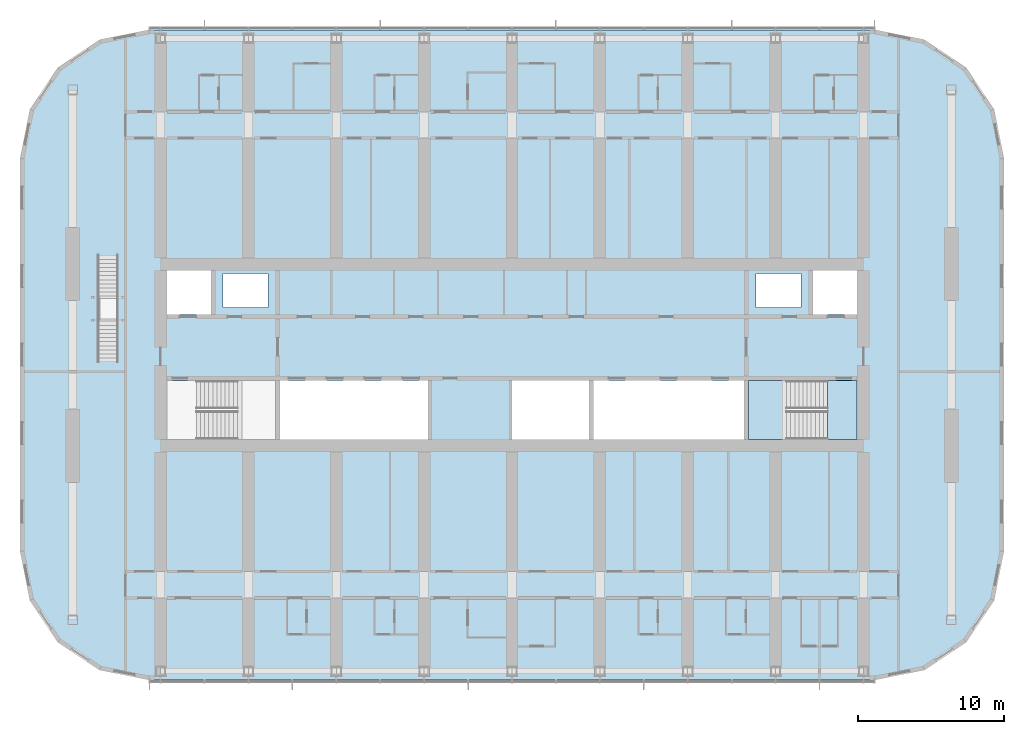
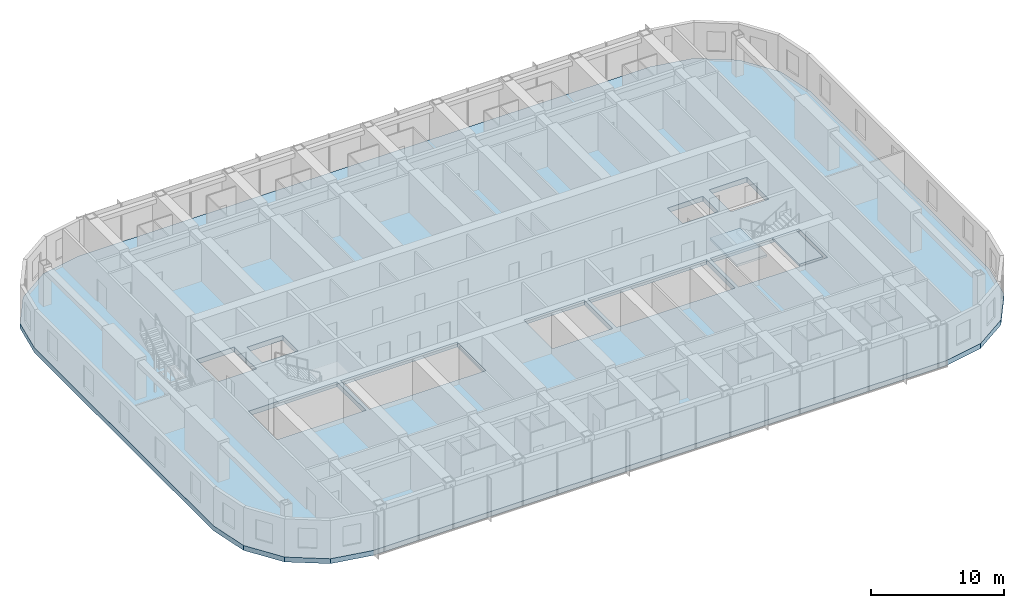
# One storey, part 10 of 27: 3 slabs, 1 element without a shape of its own.
"""IFC4 building model written with IfcOpenShell, lengths in metres."""

import ifcopenshell
import ifcopenshell.guid

model = None  # the IFC model being written
_history = None  # IfcOwnerHistory: only IFC2X3 demands one
_inside = {}  # id of a spatial element -> (the spatial element, [elements in it])
_under = {}  # id of a project, library or spatial element -> (it, [spatial elements below it])
_declared = {}  # id of a project -> (the project, [libraries it declares])
_typed = {}  # id of a type object -> (the type object, [elements of that type])
_made_of = {}  # id of a material, layer set ... -> (it, [elements and type objects made of it])


def new_model(schema):
    """Start an empty IFC model of exactly this schema.

    Asked for "IFC4X3", IfcOpenShell would pick the latest addendum, in which some entities
    have other attributes; the version numbers below select the first issue.
    IFC2X3 requires an IfcOwnerHistory on every rooted entity: one is made here for all.
    """
    global model, _history
    if schema == "IFC4X3":
        model = ifcopenshell.file(schema_version=(4, 3, 0, 0))
    else:
        model = ifcopenshell.file(schema=schema)
    _inside.clear()
    _under.clear()
    _declared.clear()
    _typed.clear()
    _made_of.clear()
    _history = None
    if model.schema == "IFC2X3":
        org = make("IfcOrganization", Name="unknown")
        user = make(
            "IfcPersonAndOrganization",
            ThePerson=make("IfcPerson", FamilyName="unknown"),
            TheOrganization=org,
        )
        app = make(
            "IfcApplication",
            ApplicationDeveloper=org,
            Version="unknown",
            ApplicationFullName="unknown",
            ApplicationIdentifier="unknown",
        )
        _history = make(
            "IfcOwnerHistory",
            OwningUser=user,
            OwningApplication=app,
            ChangeAction="ADDED",
            CreationDate=0,
        )
    return model


def make(cls, **values):
    """One entity of the class cls with the attributes given. An attribute that is None is left unset."""
    return model.create_entity(
        cls, **{name: value for name, value in values.items() if value is not None}
    )


def rooted(cls, **values):
    """An entity with a GlobalId (a new one), such as an element, a storey or a relation."""
    return make(cls, GlobalId=ifcopenshell.guid.new(), OwnerHistory=_history, **values)


def si_unit(unit_type, name, prefix=None):
    """IfcSIUnit, for example si_unit("LENGTHUNIT", "METRE", prefix="MILLI")."""
    return make("IfcSIUnit", UnitType=unit_type, Prefix=prefix, Name=name)


def assignment(units):
    """IfcUnitAssignment: the units of a project."""
    return None if units is None else make("IfcUnitAssignment", Units=units)


def point(xyz):
    """IfcCartesianPoint."""
    return None if xyz is None else make("IfcCartesianPoint", Coordinates=xyz)


def direction(xyz):
    """IfcDirection."""
    return None if xyz is None else make("IfcDirection", DirectionRatios=xyz)


def frame(location, z_axis=None, x_axis=None):
    """IfcAxis2Placement3D, a coordinate frame: its origin and axes. An axis left out is left unset."""
    return make(
        "IfcAxis2Placement3D",
        Location=point(location),
        Axis=direction(z_axis),
        RefDirection=direction(x_axis),
    )


def origin():
    """The frame at (0, 0, 0) with its axes left unset."""
    return frame((0.0, 0.0, 0.0))


def place(relative_to, where):
    """IfcLocalPlacement: puts the frame where relative to a parent placement (None: the world)."""
    return make(
        "IfcLocalPlacement", PlacementRelTo=relative_to, RelativePlacement=where
    )


def context(
    kind, dimensions, precision=None, world=None, true_north=None, identifier=None
):
    """IfcGeometricRepresentationContext, for example the 3D "Model" context."""
    return make(
        "IfcGeometricRepresentationContext",
        ContextIdentifier=identifier,
        ContextType=kind,
        CoordinateSpaceDimension=dimensions,
        Precision=precision,
        WorldCoordinateSystem=world,
        TrueNorth=true_north,
    )


def subcontext(parent, identifier, kind, view, scale=None):
    """IfcGeometricRepresentationSubContext, for example "Body" below "Model"."""
    return make(
        "IfcGeometricRepresentationSubContext",
        ContextIdentifier=identifier,
        ContextType=kind,
        ParentContext=parent,
        TargetScale=scale,
        TargetView=view,
    )


def project(units=None, contexts=None):
    """IfcProject with its units and contexts."""
    return rooted(
        "IfcProject",
        Name="project",
        RepresentationContexts=contexts,
        UnitsInContext=assignment(units),
    )


def spatial(cls, under=None, at=None, **own):
    """A site, building, storey or space (cls), placed at a placement, below another one or the project."""
    s = rooted(cls, ObjectPlacement=at, **own)
    if under is not None:
        _under.setdefault(under.id(), (under, []))[1].append(s)
    return s


def polyline(points):
    """IfcPolyline through the points."""
    return make("IfcPolyline", Points=[point(p) for p in points])


def outline(outer, holes=None, kind="AREA"):
    """IfcArbitraryClosedProfileDef: a profile drawn as a closed curve; with holes, ...WithVoids."""
    if holes is None:
        return make("IfcArbitraryClosedProfileDef", ProfileType=kind, OuterCurve=outer)
    return make(
        "IfcArbitraryProfileDefWithVoids",
        ProfileType=kind,
        OuterCurve=outer,
        InnerCurves=holes,
    )


def extrude(swept, where, along, depth):
    """IfcExtrudedAreaSolid: the profile swept, set in the frame where, extruded along a direction by depth."""
    return make(
        "IfcExtrudedAreaSolid",
        SweptArea=swept,
        Position=where,
        ExtrudedDirection=direction(along),
        Depth=depth,
    )


def shape(context_of_items, identifier, shape_type, items):
    """IfcShapeRepresentation: the items that make up one representation, for example the "Body"."""
    return make(
        "IfcShapeRepresentation",
        ContextOfItems=context_of_items,
        RepresentationIdentifier=identifier,
        RepresentationType=shape_type,
        Items=items,
    )


def material(Name=None, Category=None):
    """IfcMaterial."""
    return make("IfcMaterial", Name=Name, Category=Category)


def layer(
    of_material, thickness, ventilated=None, Name=None, Category=None, Priority=None
):
    """IfcMaterialLayer: one layer of a wall or slab, of a material (None: an air gap)."""
    return make(
        "IfcMaterialLayer",
        Material=of_material,
        LayerThickness=thickness,
        IsVentilated=ventilated,
        Name=Name,
        Category=Category,
        Priority=Priority,
    )


def layer_set(layers, Name=None):
    """IfcMaterialLayerSet."""
    return make("IfcMaterialLayerSet", MaterialLayers=layers, LayerSetName=Name)


def made_of(thing, what):
    """Note that an element or type object is made of a material, layer set ...; save() writes the relation."""
    if what is not None:
        _made_of.setdefault(what.id(), (what, []))[1].append(thing)
    return thing


def type_object(cls, material=None, **own):
    """A type object (cls), such as IfcWallType, which elements share."""
    return made_of(rooted(cls, **own), material)


def element(
    cls,
    number,
    at=None,
    inside=None,
    cuts=None,
    type_object=None,
    material=None,
    context=None,
    identifier="Body",
    shape_type=None,
    held_by="IfcProductDefinitionShape",
    body=None,
    shapes=None,
    **own,
):
    """One element of the class cls, such as IfcWall. Its Tag is "e" and its number.

    at: its placement. inside: the storey or other place that contains it. cuts: it is an
    opening in that element (IfcRelVoidsElement). A single representation is given by context,
    identifier, shape_type and body (its items); several are given by shapes. held_by: the class
    of the entity that holds the representations. save() writes the other relations.
    """
    e = rooted(cls, Tag="e%d" % number, ObjectPlacement=at, **own)
    if body is not None:
        shapes = [shape(context, identifier, shape_type, body)]
    if shapes is not None:
        e.Representation = make(held_by, Representations=shapes)
    if inside is not None:
        _inside.setdefault(inside.id(), (inside, []))[1].append(e)
    if cuts is not None:
        rooted(
            "IfcRelVoidsElement", RelatingBuildingElement=cuts, RelatedOpeningElement=e
        )
    if type_object is not None:
        _typed.setdefault(type_object.id(), (type_object, []))[1].append(e)
    return made_of(e, material)


def aggregate(whole, parts):
    """IfcRelAggregates: a whole, such as a stair, and the parts it consists of."""
    return rooted("IfcRelAggregates", RelatingObject=whole, RelatedObjects=parts)


def save(model, path):
    """Write the relations noted so far, then the file.

    IfcRelAggregates (storeys below a building ...), IfcRelContainedInSpatialStructure (elements
    in a storey), IfcRelDefinesByType, IfcRelAssociatesMaterial and IfcRelDeclares: one each for
    every whole, place, type object, material and project.
    """
    for whole, parts in _under.values():
        aggregate(whole, parts)
    for where, things in _inside.values():
        rooted(
            "IfcRelContainedInSpatialStructure",
            RelatedElements=things,
            RelatingStructure=where,
        )
    for kind, things in _typed.values():
        rooted("IfcRelDefinesByType", RelatedObjects=things, RelatingType=kind)
    for what, things in _made_of.values():
        rooted("IfcRelAssociatesMaterial", RelatedObjects=things, RelatingMaterial=what)
    for by, libraries in _declared.values():
        rooted("IfcRelDeclares", RelatingContext=by, RelatedDefinitions=libraries)
    model.write(path)


model = new_model("IFC4")

# Units and contexts
model_context = context("Model", 3, precision=1e-05, world=origin(), true_north=direction((0.0, 1.0)))
body_context = subcontext(model_context, "Body", "Model", "MODEL_VIEW")
ifc_project = project(units=[si_unit("LENGTHUNIT", "METRE"), si_unit("AREAUNIT", "SQUARE_METRE"), si_unit("VOLUMEUNIT", "CUBIC_METRE"), si_unit("PLANEANGLEUNIT", "RADIAN"), si_unit("MASSUNIT", "GRAM", prefix="KILO")], contexts=[model_context])

# Site, building, storey
site_placement = place(None, origin())
site = spatial("IfcSite", under=ifc_project, at=site_placement, CompositionType="ELEMENT")
building_placement = place(site_placement, origin())
building = spatial("IfcBuilding", under=site, at=building_placement, Name="Orbita Commons", CompositionType="ELEMENT")
storey_placement = place(building_placement, frame((0.0, 0.0, 178.60009765625)))
storey = spatial("IfcBuildingStorey", under=building, at=storey_placement, Name="L44", CompositionType="ELEMENT", Elevation=178.60009765625)

# Slab
ifc_material_1 = material(Name="Concrete C40/50", Category="concrete")
ifc_layer_1 = layer(ifc_material_1, 0.449951171875)
ifc_layer_set_1 = layer_set([ifc_layer_1], Name="Concrete C40/50")
slab_type_1 = type_object("IfcSlabType", Name="Floor slab 450", PredefinedType="FLOOR", material=ifc_layer_set_1)
slab_1_placement = place(storey_placement, frame((0.0, 0.0, -0.4501953125)))
element("IfcSlab", 1, at=slab_1_placement, inside=storey, type_object=slab_type_1, Name="Floor slab L44", PredefinedType="FLOOR", context=body_context, shape_type="SweptSolid", body=[
    extrude(outline(polyline([(66.800048828125, 9.800048828125), (70.167724609375, 10.469970703125), (73.0224609375, 12.37744140625), (74.93017578125, 15.232421875), (75.60009765625, 18.60009765625), (75.60009765625, 45.39990234375), (74.93017578125, 48.767578125), (73.0224609375, 51.62255859375), (70.167724609375, 53.530029296875), (66.800048828125, 54.199951171875), (17.199951171875, 54.199951171875), (13.832275390625, 53.530029296875), (10.9775390625, 51.62255859375), (9.06982421875, 48.767578125), (8.39990234375, 45.39990234375), (8.39990234375, 18.60009765625), (9.06982421875, 15.232421875), (10.9775390625, 12.37744140625), (13.832275390625, 10.469970703125), (17.199951171875, 9.800048828125), (66.800048828125, 9.800048828125)]), holes=[polyline([(18.14990234375, 25.949951171875), (25.85009765625, 25.949951171875), (25.85009765625, 30.25), (18.14990234375, 30.25), (18.14990234375, 25.949951171875)]), polyline([(58.14990234375, 25.949951171875), (65.85009765625, 25.949951171875), (65.85009765625, 30.25), (58.14990234375, 30.25), (58.14990234375, 25.949951171875)]), polyline([(18.14990234375, 34.75), (21.449951171875, 34.75), (21.449951171875, 38.050048828125), (18.14990234375, 38.050048828125), (18.14990234375, 34.75)]), polyline([(62.550048828125, 34.75), (65.85009765625, 34.75), (65.85009765625, 38.050048828125), (62.550048828125, 38.050048828125), (62.550048828125, 34.75)]), polyline([(22.25, 35.25), (25.35009765625, 35.25), (25.35009765625, 37.550048828125), (22.25, 37.550048828125), (22.25, 35.25)]), polyline([(58.64990234375, 35.25), (61.75, 35.25), (61.75, 37.550048828125), (58.64990234375, 37.550048828125), (58.64990234375, 35.25)]), polyline([(26.14990234375, 25.949951171875), (36.25, 25.949951171875), (36.25, 30.25), (26.14990234375, 30.25), (26.14990234375, 25.949951171875)]), polyline([(42.0, 25.949951171875), (47.25, 25.949951171875), (47.25, 30.25), (42.0, 30.25), (42.0, 25.949951171875)]), polyline([(47.550048828125, 25.949951171875), (57.85009765625, 25.949951171875), (57.85009765625, 30.25), (47.550048828125, 30.25), (47.550048828125, 25.949951171875)])]), origin(), (0.0, 0.0, 1.0), 0.4501953125),
])

# Stair, slabs
ifc_material_2 = material(Name="Precast concrete C40/50", Category="concrete")
stair_type = type_object("IfcStairType", Name="Exit stair S2 2 flights 11 risers 170", PredefinedType="HALF_TURN_STAIR", material=ifc_material_2)
stair_placement = place(storey_placement, origin())
stair = element("IfcStair", 2, at=stair_placement, inside=storey, type_object=stair_type, Name="Exit stair S2 L44", PredefinedType="HALF_TURN_STAIR")
ifc_material_3 = material(Name="Concrete C40/50", Category="concrete")
ifc_layer_2 = layer(ifc_material_3, 0.199951171875)
ifc_layer_set_2 = layer_set([ifc_layer_2], Name="Concrete C40/50")
slab_type_2 = type_object("IfcSlabType", Name="Stair landing 200", PredefinedType="LANDING", material=ifc_layer_set_2)
slab_2_placement = place(storey_placement, frame((0.0, 0.0, -0.2001953125)))
slab_2 = element("IfcSlab", 3, at=slab_2_placement, type_object=slab_type_2, Name="S2 landing 1", PredefinedType="LANDING", context=body_context, shape_type="SweptSolid", body=[
    extrude(outline(polyline([(63.550048828125, 26.22509765625), (65.574951171875, 26.22509765625), (65.574951171875, 30.25), (63.550048828125, 30.25), (63.550048828125, 26.22509765625)])), origin(), (0.0, 0.0, 1.0), 0.2001953125),
])
slab_3_placement = place(storey_placement, frame((0.0, 0.0, 1.6748046875)))
slab_3 = element("IfcSlab", 4, at=slab_3_placement, type_object=slab_type_2, Name="S2 landing 2", PredefinedType="LANDING", context=body_context, shape_type="SweptSolid", body=[
    extrude(outline(polyline([(58.135009765625, 26.2099609375), (60.75, 26.2099609375), (60.75, 30.264892578125), (58.135009765625, 30.264892578125), (58.135009765625, 26.2099609375)])), origin(), (0.0, 0.0, 1.0), 0.2001953125),
])
aggregate(stair, [slab_2, slab_3])

save(model, "model.ifc")
